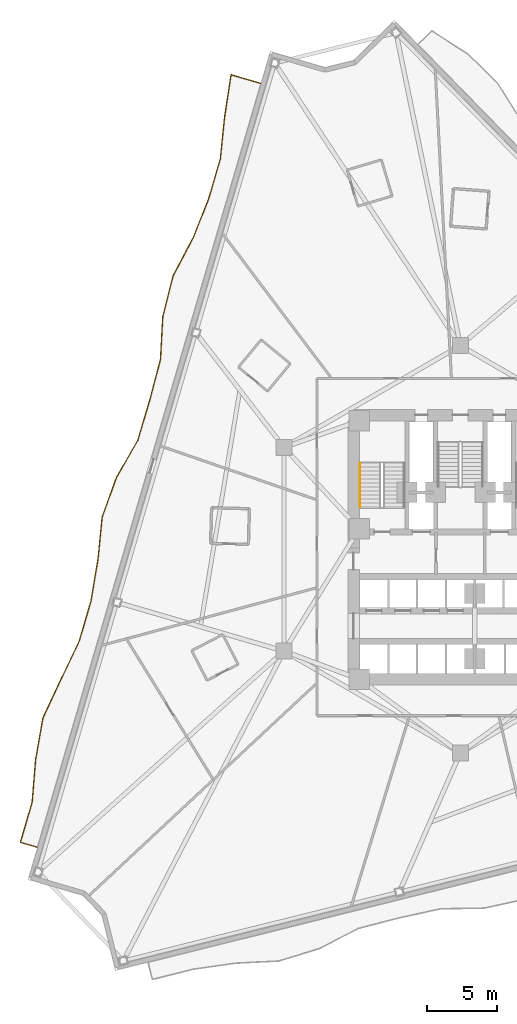
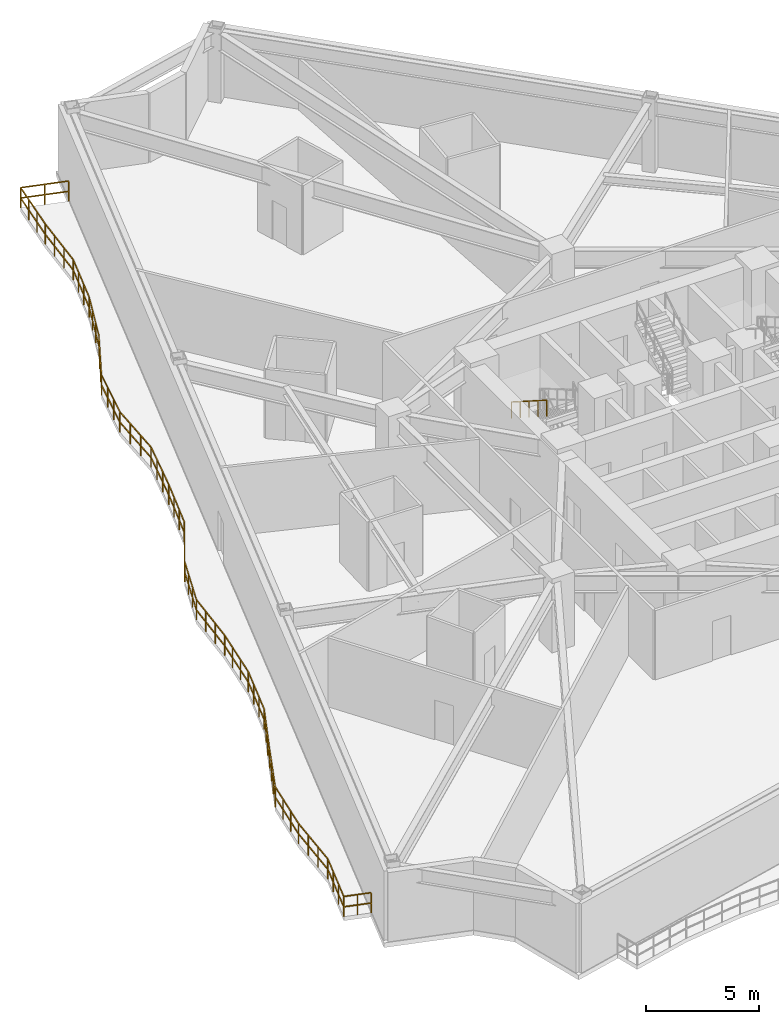
# One storey, part 8 of 10: 2 railings.
"""IFC4 building model written with IfcOpenShell, lengths in metres."""

from ifc_helpers import new_model, si_unit, direction, frame, origin, origin_2d, place, context, subcontext, project, spatial, rectangle, extrude, material, type_object, element, save


model = new_model("IFC4")

# Units and contexts
model_context = context("Model", 3, precision=1e-05, world=origin(), true_north=direction((0.0, 1.0)))
body_context = subcontext(model_context, "Body", "Model", "MODEL_VIEW")
ifc_project = project(units=[si_unit("LENGTHUNIT", "METRE"), si_unit("AREAUNIT", "SQUARE_METRE"), si_unit("VOLUMEUNIT", "CUBIC_METRE"), si_unit("PLANEANGLEUNIT", "RADIAN"), si_unit("MASSUNIT", "GRAM", prefix="KILO")], contexts=[model_context])

# Site, building, storey
site_placement = place(None, origin())
site = spatial("IfcSite", under=ifc_project, at=site_placement, CompositionType="ELEMENT")
building_placement = place(site_placement, origin())
building = spatial("IfcBuilding", under=site, at=building_placement, Name="Apsidion Concourse Tower", CompositionType="ELEMENT")
storey_placement = place(building_placement, frame((0.0, 0.0, 115.0)))
storey = spatial("IfcBuildingStorey", under=building, at=storey_placement, Name="L26", CompositionType="ELEMENT", Elevation=115.0)

# Railings
ifc_material = material(Name="Brushed stainless steel 316", Category="steel")
railing_type_1 = type_object("IfcRailingType", Name="RL-BAL-1120", PredefinedType="BALUSTRADE", material=ifc_material)
railing_1_placement = place(storey_placement, frame((-30.13330078125, -21.2216796875, 0.0)))
element("IfcRailing", 1, at=railing_1_placement, inside=storey, type_object=railing_type_1, Name="L26 Face 1 Rippling Balcony Balustrade", PredefinedType="BALUSTRADE", context=body_context, shape_type="SweptSolid", body=[
    extrude(rectangle(XDim=0.048095703125, YDim=0.048095703125, at=origin_2d()), frame((0.0, 0.0, 1.09619140625), z_axis=(-0.959802880035, 0.280674956982, 0.0), x_axis=(-0.280674956982, -0.959802880035, 0.0)), (0.0, 0.0, 1.0), 1.25),
    extrude(rectangle(XDim=0.048095703125, YDim=0.048095703125, at=origin_2d()), frame((0.0, 0.0, 0.5361328125), z_axis=(-0.959802880035, 0.280674956982, 0.0), x_axis=(-0.280674956982, -0.959802880035, 0.0)), (0.0, 0.0, 1.0), 1.25),
    extrude(rectangle(XDim=0.048095703125, YDim=0.048095703125, at=origin_2d()), frame((-1.19970703125, 0.350830078125, 1.09619140625), z_axis=(0.280725911516, 0.959787977943, 0.0), x_axis=(-0.959787977943, 0.280725911516, 0.0)), (0.0, 0.0, 1.0), 2.98291015625),
    extrude(rectangle(XDim=0.048095703125, YDim=0.048095703125, at=origin_2d()), frame((-1.19970703125, 0.350830078125, 0.5361328125), z_axis=(0.280725911516, 0.959787977943, 0.0), x_axis=(-0.959787977943, 0.280725911516, 0.0)), (0.0, 0.0, 1.0), 2.98291015625),
    extrude(rectangle(XDim=0.048095703125, YDim=0.048095703125, at=origin_2d()), frame((-0.3623046875, 3.2138671875, 1.09619140625), z_axis=(0.08112149518, 0.996704220428, 0.0), x_axis=(-0.996704220428, 0.08112149518, 0.0)), (0.0, 0.0, 1.0), 3.045654296875),
    extrude(rectangle(XDim=0.048095703125, YDim=0.048095703125, at=origin_2d()), frame((-0.3623046875, 3.2138671875, 0.5361328125), z_axis=(0.08112149518, 0.996704220428, 0.0), x_axis=(-0.996704220428, 0.08112149518, 0.0)), (0.0, 0.0, 1.0), 3.045654296875),
    extrude(rectangle(XDim=0.048095703125, YDim=0.048095703125, at=origin_2d()), frame((-0.115234375, 6.24951171875, 1.09619140625), z_axis=(0.17327020022, 0.984874325849, 0.0), x_axis=(-0.984874325849, 0.17327020022, 0.0)), (0.0, 0.0, 1.0), 3.001220703125),
    extrude(rectangle(XDim=0.048095703125, YDim=0.048095703125, at=origin_2d()), frame((-0.115234375, 6.24951171875, 0.5361328125), z_axis=(0.17327020022, 0.984874325849, 0.0), x_axis=(-0.984874325849, 0.17327020022, 0.0)), (0.0, 0.0, 1.0), 3.001220703125),
    extrude(rectangle(XDim=0.048095703125, YDim=0.048095703125, at=origin_2d()), frame((0.40478515625, 9.205322265625, 1.09619140625), z_axis=(0.423469925799, 0.905910162182, 0.0), x_axis=(-0.905910162182, 0.423469925799, 0.0)), (0.0, 0.0, 1.0), 3.01806640625),
    extrude(rectangle(XDim=0.048095703125, YDim=0.048095703125, at=origin_2d()), frame((0.40478515625, 9.205322265625, 0.5361328125), z_axis=(0.423469925799, 0.905910162182, 0.0), x_axis=(-0.905910162182, 0.423469925799, 0.0)), (0.0, 0.0, 1.0), 3.01806640625),
    extrude(rectangle(XDim=0.048095703125, YDim=0.048095703125, at=origin_2d()), frame((1.682861328125, 11.939453125, 1.09619140625), z_axis=(0.431767032328, 0.901985160518, 0.0), x_axis=(-0.901985160518, 0.431767032328, 0.0)), (0.0, 0.0, 1.0), 3.022216796875),
    extrude(rectangle(XDim=0.048095703125, YDim=0.048095703125, at=origin_2d()), frame((1.682861328125, 11.939453125, 0.5361328125), z_axis=(0.431767032328, 0.901985160518, 0.0), x_axis=(-0.901985160518, 0.431767032328, 0.0)), (0.0, 0.0, 1.0), 3.022216796875),
    extrude(rectangle(XDim=0.048095703125, YDim=0.048095703125, at=origin_2d()), frame((2.98779296875, 14.66552734375, 1.09619140625), z_axis=(0.2808013033, 0.95976592358, 0.0), x_axis=(-0.95976592358, 0.2808013033, 0.0)), (0.0, 0.0, 1.0), 2.983154296875),
    extrude(rectangle(XDim=0.048095703125, YDim=0.048095703125, at=origin_2d()), frame((2.98779296875, 14.66552734375, 0.5361328125), z_axis=(0.2808013033, 0.95976592358, 0.0), x_axis=(-0.95976592358, 0.2808013033, 0.0)), (0.0, 0.0, 1.0), 2.983154296875),
    extrude(rectangle(XDim=0.048095703125, YDim=0.048095703125, at=origin_2d()), frame((3.825439453125, 17.528564453125, 1.09619140625), z_axis=(0.166296655421, 0.986075769095, 0.0), x_axis=(-0.986075769095, 0.166296655421, 0.0)), (0.0, 0.0, 1.0), 3.003662109375),
    extrude(rectangle(XDim=0.048095703125, YDim=0.048095703125, at=origin_2d()), frame((3.825439453125, 17.528564453125, 0.5361328125), z_axis=(0.166296655421, 0.986075769095, 0.0), x_axis=(-0.986075769095, 0.166296655421, 0.0)), (0.0, 0.0, 1.0), 3.003662109375),
    extrude(rectangle(XDim=0.048095703125, YDim=0.048095703125, at=origin_2d()), frame((4.324951171875, 20.490478515625, 1.09619140625), z_axis=(0.097226254569, 0.995262304834, 0.0), x_axis=(-0.995262304834, 0.097226254569, 0.0)), (0.0, 0.0, 1.0), 3.035888671875),
    extrude(rectangle(XDim=0.048095703125, YDim=0.048095703125, at=origin_2d()), frame((4.324951171875, 20.490478515625, 0.5361328125), z_axis=(0.097226254569, 0.995262304834, 0.0), x_axis=(-0.995262304834, 0.097226254569, 0.0)), (0.0, 0.0, 1.0), 3.035888671875),
    extrude(rectangle(XDim=0.048095703125, YDim=0.048095703125, at=origin_2d()), frame((4.6201171875, 23.511962890625, 1.09619140625), z_axis=(0.341014992895, 0.94005785706, 0.0), x_axis=(-0.94005785706, 0.341014992895, 0.0)), (0.0, 0.0, 1.0), 2.989013671875),
    extrude(rectangle(XDim=0.048095703125, YDim=0.048095703125, at=origin_2d()), frame((4.6201171875, 23.511962890625, 0.5361328125), z_axis=(0.341014992895, 0.94005785706, 0.0), x_axis=(-0.94005785706, 0.341014992895, 0.0)), (0.0, 0.0, 1.0), 2.989013671875),
    extrude(rectangle(XDim=0.048095703125, YDim=0.048095703125, at=origin_2d()), frame((5.639404296875, 26.32177734375, 1.09619140625), z_axis=(0.496044629203, 0.868297026275, 0.0), x_axis=(-0.868297026275, 0.496044629203, 0.0)), (0.0, 0.0, 1.0), 3.066650390625),
    extrude(rectangle(XDim=0.048095703125, YDim=0.048095703125, at=origin_2d()), frame((5.639404296875, 26.32177734375, 0.5361328125), z_axis=(0.496044629203, 0.868297026275, 0.0), x_axis=(-0.868297026275, 0.496044629203, 0.0)), (0.0, 0.0, 1.0), 3.066650390625),
    extrude(rectangle(XDim=0.048095703125, YDim=0.048095703125, at=origin_2d()), frame((7.16064453125, 28.984619140625, 1.09619140625), z_axis=(0.285718094488, 0.958313711935, 0.0), x_axis=(-0.958313711935, 0.285718094488, 0.0)), (0.0, 0.0, 1.0), 2.98291015625),
    extrude(rectangle(XDim=0.048095703125, YDim=0.048095703125, at=origin_2d()), frame((7.16064453125, 28.984619140625, 0.5361328125), z_axis=(0.285718094488, 0.958313711935, 0.0), x_axis=(-0.958313711935, 0.285718094488, 0.0)), (0.0, 0.0, 1.0), 2.98291015625),
    extrude(rectangle(XDim=0.048095703125, YDim=0.048095703125, at=origin_2d()), frame((8.012939453125, 31.84326171875, 1.09619140625), z_axis=(0.255028897193, 0.966933431833, 0.0), x_axis=(-0.966933431833, 0.255028897193, 0.0)), (0.0, 0.0, 1.0), 2.98388671875),
    extrude(rectangle(XDim=0.048095703125, YDim=0.048095703125, at=origin_2d()), frame((8.012939453125, 31.84326171875, 0.5361328125), z_axis=(0.255028897193, 0.966933431833, 0.0), x_axis=(-0.966933431833, 0.255028897193, 0.0)), (0.0, 0.0, 1.0), 2.98388671875),
    extrude(rectangle(XDim=0.048095703125, YDim=0.048095703125, at=origin_2d()), frame((8.77392578125, 34.728515625, 1.09619140625), z_axis=(0.054746185808, 0.998500303024, 0.0), x_axis=(-0.998500303024, 0.054746185808, 0.0)), (0.0, 0.0, 1.0), 3.063720703125),
    extrude(rectangle(XDim=0.048095703125, YDim=0.048095703125, at=origin_2d()), frame((8.77392578125, 34.728515625, 0.5361328125), z_axis=(0.054746185808, 0.998500303024, 0.0), x_axis=(-0.998500303024, 0.054746185808, 0.0)), (0.0, 0.0, 1.0), 3.063720703125),
    extrude(rectangle(XDim=0.048095703125, YDim=0.048095703125, at=origin_2d()), frame((8.941650390625, 37.78759765625, 1.09619140625), z_axis=(0.243901781006, 0.969799938762, 0.0), x_axis=(-0.969799938762, 0.243901781006, 0.0)), (0.0, 0.0, 1.0), 2.98486328125),
    extrude(rectangle(XDim=0.048095703125, YDim=0.048095703125, at=origin_2d()), frame((8.941650390625, 37.78759765625, 0.5361328125), z_axis=(0.243901781006, 0.969799938762, 0.0), x_axis=(-0.969799938762, 0.243901781006, 0.0)), (0.0, 0.0, 1.0), 2.98486328125),
    extrude(rectangle(XDim=0.048095703125, YDim=0.048095703125, at=origin_2d()), frame((9.669677734375, 40.682373046875, 1.09619140625), z_axis=(0.467117484385, 0.884195258855, 0.0), x_axis=(-0.884195258855, 0.467117484385, 0.0)), (0.0, 0.0, 1.0), 3.04443359375),
    extrude(rectangle(XDim=0.048095703125, YDim=0.048095703125, at=origin_2d()), frame((9.669677734375, 40.682373046875, 0.5361328125), z_axis=(0.467117484385, 0.884195258855, 0.0), x_axis=(-0.884195258855, 0.467117484385, 0.0)), (0.0, 0.0, 1.0), 3.04443359375),
    extrude(rectangle(XDim=0.048095703125, YDim=0.048095703125, at=origin_2d()), frame((11.091796875, 43.374267578125, 1.09619140625), z_axis=(0.370069806896, 0.929003949412, 0.0), x_axis=(-0.929003949412, 0.370069806896, 0.0)), (0.0, 0.0, 1.0), 2.996337890625),
    extrude(rectangle(XDim=0.048095703125, YDim=0.048095703125, at=origin_2d()), frame((11.091796875, 43.374267578125, 0.5361328125), z_axis=(0.370069806896, 0.929003949412, 0.0), x_axis=(-0.929003949412, 0.370069806896, 0.0)), (0.0, 0.0, 1.0), 2.996337890625),
    extrude(rectangle(XDim=0.048095703125, YDim=0.048095703125, at=origin_2d()), frame((12.20068359375, 46.157958984375, 1.09619140625), z_axis=(0.280725911516, 0.959787977943, 0.0), x_axis=(-0.959787977943, 0.280725911516, 0.0)), (0.0, 0.0, 1.0), 2.98291015625),
    extrude(rectangle(XDim=0.048095703125, YDim=0.048095703125, at=origin_2d()), frame((12.20068359375, 46.157958984375, 0.5361328125), z_axis=(0.280725911516, 0.959787977943, 0.0), x_axis=(-0.959787977943, 0.280725911516, 0.0)), (0.0, 0.0, 1.0), 2.98291015625),
    extrude(rectangle(XDim=0.048095703125, YDim=0.048095703125, at=origin_2d()), frame((13.0380859375, 49.02099609375, 1.09619140625), z_axis=(0.101240604968, 0.994861970278, 0.0), x_axis=(-0.994861970278, 0.101240604968, 0.0)), (0.0, 0.0, 1.0), 3.03369140625),
    extrude(rectangle(XDim=0.048095703125, YDim=0.048095703125, at=origin_2d()), frame((13.0380859375, 49.02099609375, 0.5361328125), z_axis=(0.101240604968, 0.994861970278, 0.0), x_axis=(-0.994861970278, 0.101240604968, 0.0)), (0.0, 0.0, 1.0), 3.03369140625),
    extrude(rectangle(XDim=0.048095703125, YDim=0.048095703125, at=origin_2d()), frame((13.34521484375, 52.0390625, 1.09619140625), z_axis=(0.151545079495, 0.9884503472, 0.0), x_axis=(-0.9884503472, 0.151545079495, 0.0)), (0.0, 0.0, 1.0), 3.00927734375),
    extrude(rectangle(XDim=0.048095703125, YDim=0.048095703125, at=origin_2d()), frame((13.34521484375, 52.0390625, 0.5361328125), z_axis=(0.151545079495, 0.9884503472, 0.0), x_axis=(-0.9884503472, 0.151545079495, 0.0)), (0.0, 0.0, 1.0), 3.00927734375),
    extrude(rectangle(XDim=0.048095703125, YDim=0.048095703125, at=origin_2d()), frame((13.80126953125, 55.013671875, 1.09619140625), z_axis=(0.959779716738, -0.280754154624, 0.0), x_axis=(0.280754154624, 0.959779716738, 0.0)), (0.0, 0.0, 1.0), 2.199951171875),
    extrude(rectangle(XDim=0.048095703125, YDim=0.048095703125, at=origin_2d()), frame((13.80126953125, 55.013671875, 0.5361328125), z_axis=(0.959779716738, -0.280754154624, 0.0), x_axis=(0.280754154624, 0.959779716738, 0.0)), (0.0, 0.0, 1.0), 2.199951171875),
    extrude(rectangle(XDim=0.0419921875, YDim=0.0419921875, at=origin_2d()), origin(), (0.0, 0.0, 1.0), 1.072021484375),
    extrude(rectangle(XDim=0.0419921875, YDim=0.0419921875, at=origin_2d()), frame((-0.599853515625, 0.17529296875, 0.0)), (0.0, 0.0, 1.0), 1.072021484375),
    extrude(rectangle(XDim=0.0419921875, YDim=0.0419921875, at=origin_2d()), frame((-1.19970703125, 0.350830078125, 0.0)), (0.0, 0.0, 1.0), 1.072021484375),
    extrude(rectangle(XDim=0.0419921875, YDim=0.0419921875, at=origin_2d()), frame((-0.920654296875, 1.30517578125, 0.0)), (0.0, 0.0, 1.0), 1.072021484375),
    extrude(rectangle(XDim=0.0419921875, YDim=0.0419921875, at=origin_2d()), frame((-0.641357421875, 2.259521484375, 0.0)), (0.0, 0.0, 1.0), 1.072021484375),
    extrude(rectangle(XDim=0.0419921875, YDim=0.0419921875, at=origin_2d()), frame((-0.3623046875, 3.2138671875, 0.0)), (0.0, 0.0, 1.0), 1.072021484375),
    extrude(rectangle(XDim=0.0419921875, YDim=0.0419921875, at=origin_2d()), frame((-0.280029296875, 4.225830078125, 0.0)), (0.0, 0.0, 1.0), 1.072021484375),
    extrude(rectangle(XDim=0.0419921875, YDim=0.0419921875, at=origin_2d()), frame((-0.197509765625, 5.237548828125, 0.0)), (0.0, 0.0, 1.0), 1.072021484375),
    extrude(rectangle(XDim=0.0419921875, YDim=0.0419921875, at=origin_2d()), frame((-0.115234375, 6.24951171875, 0.0)), (0.0, 0.0, 1.0), 1.072021484375),
    extrude(rectangle(XDim=0.0419921875, YDim=0.0419921875, at=origin_2d()), frame((0.05810546875, 7.23486328125, 0.0)), (0.0, 0.0, 1.0), 1.072021484375),
    extrude(rectangle(XDim=0.0419921875, YDim=0.0419921875, at=origin_2d()), frame((0.2314453125, 8.219970703125, 0.0)), (0.0, 0.0, 1.0), 1.072021484375),
    extrude(rectangle(XDim=0.0419921875, YDim=0.0419921875, at=origin_2d()), frame((0.40478515625, 9.205322265625, 0.0)), (0.0, 0.0, 1.0), 1.072021484375),
    extrude(rectangle(XDim=0.0419921875, YDim=0.0419921875, at=origin_2d()), frame((0.830810546875, 10.11669921875, 0.0)), (0.0, 0.0, 1.0), 1.072021484375),
    extrude(rectangle(XDim=0.0419921875, YDim=0.0419921875, at=origin_2d()), frame((1.2568359375, 11.028076171875, 0.0)), (0.0, 0.0, 1.0), 1.072021484375),
    extrude(rectangle(XDim=0.0419921875, YDim=0.0419921875, at=origin_2d()), frame((1.682861328125, 11.939453125, 0.0)), (0.0, 0.0, 1.0), 1.072021484375),
    extrude(rectangle(XDim=0.0419921875, YDim=0.0419921875, at=origin_2d()), frame((2.117919921875, 12.84814453125, 0.0)), (0.0, 0.0, 1.0), 1.072021484375),
    extrude(rectangle(XDim=0.0419921875, YDim=0.0419921875, at=origin_2d()), frame((2.552734375, 13.7568359375, 0.0)), (0.0, 0.0, 1.0), 1.072021484375),
    extrude(rectangle(XDim=0.0419921875, YDim=0.0419921875, at=origin_2d()), frame((2.98779296875, 14.66552734375, 0.0)), (0.0, 0.0, 1.0), 1.072021484375),
    extrude(rectangle(XDim=0.0419921875, YDim=0.0419921875, at=origin_2d()), frame((3.26708984375, 15.619873046875, 0.0)), (0.0, 0.0, 1.0), 1.072021484375),
    extrude(rectangle(XDim=0.0419921875, YDim=0.0419921875, at=origin_2d()), frame((3.546142578125, 16.57421875, 0.0)), (0.0, 0.0, 1.0), 1.072021484375),
    extrude(rectangle(XDim=0.0419921875, YDim=0.0419921875, at=origin_2d()), frame((3.825439453125, 17.528564453125, 0.0)), (0.0, 0.0, 1.0), 1.072021484375),
    extrude(rectangle(XDim=0.0419921875, YDim=0.0419921875, at=origin_2d()), frame((3.991943359375, 18.515869140625, 0.0)), (0.0, 0.0, 1.0), 1.072021484375),
    extrude(rectangle(XDim=0.0419921875, YDim=0.0419921875, at=origin_2d()), frame((4.158447265625, 19.503173828125, 0.0)), (0.0, 0.0, 1.0), 1.072021484375),
    extrude(rectangle(XDim=0.0419921875, YDim=0.0419921875, at=origin_2d()), frame((4.324951171875, 20.490478515625, 0.0)), (0.0, 0.0, 1.0), 1.072021484375),
    extrude(rectangle(XDim=0.0419921875, YDim=0.0419921875, at=origin_2d()), frame((4.42333984375, 21.49755859375, 0.0)), (0.0, 0.0, 1.0), 1.072021484375),
    extrude(rectangle(XDim=0.0419921875, YDim=0.0419921875, at=origin_2d()), frame((4.521728515625, 22.5048828125, 0.0)), (0.0, 0.0, 1.0), 1.072021484375),
    extrude(rectangle(XDim=0.0419921875, YDim=0.0419921875, at=origin_2d()), frame((4.6201171875, 23.511962890625, 0.0)), (0.0, 0.0, 1.0), 1.072021484375),
    extrude(rectangle(XDim=0.0419921875, YDim=0.0419921875, at=origin_2d()), frame((4.9599609375, 24.448486328125, 0.0)), (0.0, 0.0, 1.0), 1.072021484375),
    extrude(rectangle(XDim=0.0419921875, YDim=0.0419921875, at=origin_2d()), frame((5.299560546875, 25.38525390625, 0.0)), (0.0, 0.0, 1.0), 1.072021484375),
    extrude(rectangle(XDim=0.0419921875, YDim=0.0419921875, at=origin_2d()), frame((5.639404296875, 26.32177734375, 0.0)), (0.0, 0.0, 1.0), 1.072021484375),
    extrude(rectangle(XDim=0.0419921875, YDim=0.0419921875, at=origin_2d()), frame((6.146484375, 27.20947265625, 0.0)), (0.0, 0.0, 1.0), 1.072021484375),
    extrude(rectangle(XDim=0.0419921875, YDim=0.0419921875, at=origin_2d()), frame((6.653564453125, 28.096923828125, 0.0)), (0.0, 0.0, 1.0), 1.072021484375),
    extrude(rectangle(XDim=0.0419921875, YDim=0.0419921875, at=origin_2d()), frame((7.16064453125, 28.984619140625, 0.0)), (0.0, 0.0, 1.0), 1.072021484375),
    extrude(rectangle(XDim=0.0419921875, YDim=0.0419921875, at=origin_2d()), frame((7.44482421875, 29.9375, 0.0)), (0.0, 0.0, 1.0), 1.072021484375),
    extrude(rectangle(XDim=0.0419921875, YDim=0.0419921875, at=origin_2d()), frame((7.728759765625, 30.890380859375, 0.0)), (0.0, 0.0, 1.0), 1.072021484375),
    extrude(rectangle(XDim=0.0419921875, YDim=0.0419921875, at=origin_2d()), frame((8.012939453125, 31.84326171875, 0.0)), (0.0, 0.0, 1.0), 1.072021484375),
    extrude(rectangle(XDim=0.0419921875, YDim=0.0419921875, at=origin_2d()), frame((8.2666015625, 32.804931640625, 0.0)), (0.0, 0.0, 1.0), 1.072021484375),
    extrude(rectangle(XDim=0.0419921875, YDim=0.0419921875, at=origin_2d()), frame((8.520263671875, 33.766845703125, 0.0)), (0.0, 0.0, 1.0), 1.072021484375),
    extrude(rectangle(XDim=0.0419921875, YDim=0.0419921875, at=origin_2d()), frame((8.77392578125, 34.728515625, 0.0)), (0.0, 0.0, 1.0), 1.072021484375),
    extrude(rectangle(XDim=0.0419921875, YDim=0.0419921875, at=origin_2d()), frame((8.829833984375, 35.748291015625, 0.0)), (0.0, 0.0, 1.0), 1.072021484375),
    extrude(rectangle(XDim=0.0419921875, YDim=0.0419921875, at=origin_2d()), frame((8.8857421875, 36.767822265625, 0.0)), (0.0, 0.0, 1.0), 1.072021484375),
    extrude(rectangle(XDim=0.0419921875, YDim=0.0419921875, at=origin_2d()), frame((8.941650390625, 37.78759765625, 0.0)), (0.0, 0.0, 1.0), 1.072021484375),
    extrude(rectangle(XDim=0.0419921875, YDim=0.0419921875, at=origin_2d()), frame((9.184326171875, 38.75244140625, 0.0)), (0.0, 0.0, 1.0), 1.072021484375),
    extrude(rectangle(XDim=0.0419921875, YDim=0.0419921875, at=origin_2d()), frame((9.427001953125, 39.717529296875, 0.0)), (0.0, 0.0, 1.0), 1.072021484375),
    extrude(rectangle(XDim=0.0419921875, YDim=0.0419921875, at=origin_2d()), frame((9.669677734375, 40.682373046875, 0.0)), (0.0, 0.0, 1.0), 1.072021484375),
    extrude(rectangle(XDim=0.0419921875, YDim=0.0419921875, at=origin_2d()), frame((10.143798828125, 41.57958984375, 0.0)), (0.0, 0.0, 1.0), 1.072021484375),
    extrude(rectangle(XDim=0.0419921875, YDim=0.0419921875, at=origin_2d()), frame((10.61767578125, 42.47705078125, 0.0)), (0.0, 0.0, 1.0), 1.072021484375),
    extrude(rectangle(XDim=0.0419921875, YDim=0.0419921875, at=origin_2d()), frame((11.091796875, 43.374267578125, 0.0)), (0.0, 0.0, 1.0), 1.072021484375),
    extrude(rectangle(XDim=0.0419921875, YDim=0.0419921875, at=origin_2d()), frame((11.46142578125, 44.30224609375, 0.0)), (0.0, 0.0, 1.0), 1.072021484375),
    extrude(rectangle(XDim=0.0419921875, YDim=0.0419921875, at=origin_2d()), frame((11.8310546875, 45.22998046875, 0.0)), (0.0, 0.0, 1.0), 1.072021484375),
    extrude(rectangle(XDim=0.0419921875, YDim=0.0419921875, at=origin_2d()), frame((12.20068359375, 46.157958984375, 0.0)), (0.0, 0.0, 1.0), 1.072021484375),
    extrude(rectangle(XDim=0.0419921875, YDim=0.0419921875, at=origin_2d()), frame((12.479736328125, 47.1123046875, 0.0)), (0.0, 0.0, 1.0), 1.072021484375),
    extrude(rectangle(XDim=0.0419921875, YDim=0.0419921875, at=origin_2d()), frame((12.759033203125, 48.066650390625, 0.0)), (0.0, 0.0, 1.0), 1.072021484375),
    extrude(rectangle(XDim=0.0419921875, YDim=0.0419921875, at=origin_2d()), frame((13.0380859375, 49.02099609375, 0.0)), (0.0, 0.0, 1.0), 1.072021484375),
    extrude(rectangle(XDim=0.0419921875, YDim=0.0419921875, at=origin_2d()), frame((13.140380859375, 50.027099609375, 0.0)), (0.0, 0.0, 1.0), 1.072021484375),
    extrude(rectangle(XDim=0.0419921875, YDim=0.0419921875, at=origin_2d()), frame((13.242919921875, 51.032958984375, 0.0)), (0.0, 0.0, 1.0), 1.072021484375),
    extrude(rectangle(XDim=0.0419921875, YDim=0.0419921875, at=origin_2d()), frame((13.34521484375, 52.0390625, 0.0)), (0.0, 0.0, 1.0), 1.072021484375),
    extrude(rectangle(XDim=0.0419921875, YDim=0.0419921875, at=origin_2d()), frame((13.497314453125, 53.030517578125, 0.0)), (0.0, 0.0, 1.0), 1.072021484375),
    extrude(rectangle(XDim=0.0419921875, YDim=0.0419921875, at=origin_2d()), frame((13.649169921875, 54.022216796875, 0.0)), (0.0, 0.0, 1.0), 1.072021484375),
    extrude(rectangle(XDim=0.0419921875, YDim=0.0419921875, at=origin_2d()), frame((13.80126953125, 55.013671875, 0.0)), (0.0, 0.0, 1.0), 1.072021484375),
    extrude(rectangle(XDim=0.0419921875, YDim=0.0419921875, at=origin_2d()), frame((14.85693359375, 54.704833984375, 0.0)), (0.0, 0.0, 1.0), 1.072021484375),
    extrude(rectangle(XDim=0.0419921875, YDim=0.0419921875, at=origin_2d()), frame((15.912841796875, 54.39599609375, 0.0)), (0.0, 0.0, 1.0), 1.072021484375),
])
railing_type_2 = type_object("IfcRailingType", Name="RL-HAND-900", PredefinedType="HANDRAIL", material=ifc_material)
railing_2_placement = place(storey_placement, frame((-7.14990234375, 6.135009765625, 2.166748046875)))
element("IfcRailing", 2, at=railing_2_placement, inside=storey, type_object=railing_type_2, Name="L26 ST1 stair handrail 2", PredefinedType="HANDRAIL", context=body_context, shape_type="SweptSolid", body=[
    extrude(rectangle(XDim=0.048095703125, YDim=0.048095703125, at=origin_2d()), frame((0.0, 0.0, 0.8759765625), z_axis=(0.0, -0.843052688722, 0.537830980921), x_axis=(1.0, 0.0, 0.0)), (0.0, 0.0, 1.0), 3.71875),
    extrude(rectangle(XDim=0.0419921875, YDim=0.0419921875, at=origin_2d()), origin(), (0.0, 0.0, 1.0), 0.851806640625),
    extrude(rectangle(XDim=0.0419921875, YDim=0.0419921875, at=origin_2d()), frame((0.0, -0.78369140625, 0.5)), (0.0, 0.0, 1.0), 0.851806640625),
    extrude(rectangle(XDim=0.0419921875, YDim=0.0419921875, at=origin_2d()), frame((0.0, -1.5673828125, 1.0)), (0.0, 0.0, 1.0), 0.851806640625),
    extrude(rectangle(XDim=0.0419921875, YDim=0.0419921875, at=origin_2d()), frame((0.0, -2.351318359375, 1.5)), (0.0, 0.0, 1.0), 0.851806640625),
    extrude(rectangle(XDim=0.0419921875, YDim=0.0419921875, at=origin_2d()), frame((0.0, -3.135009765625, 2.0)), (0.0, 0.0, 1.0), 0.851806640625),
])

save(model, "model.ifc")
